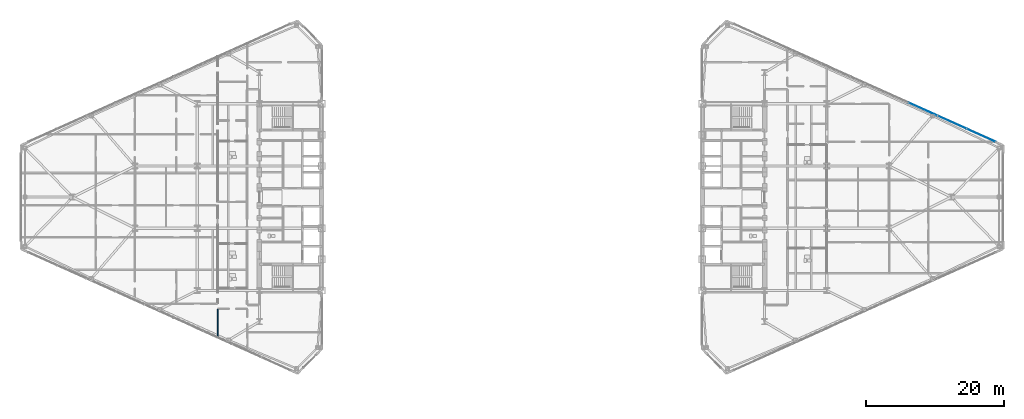
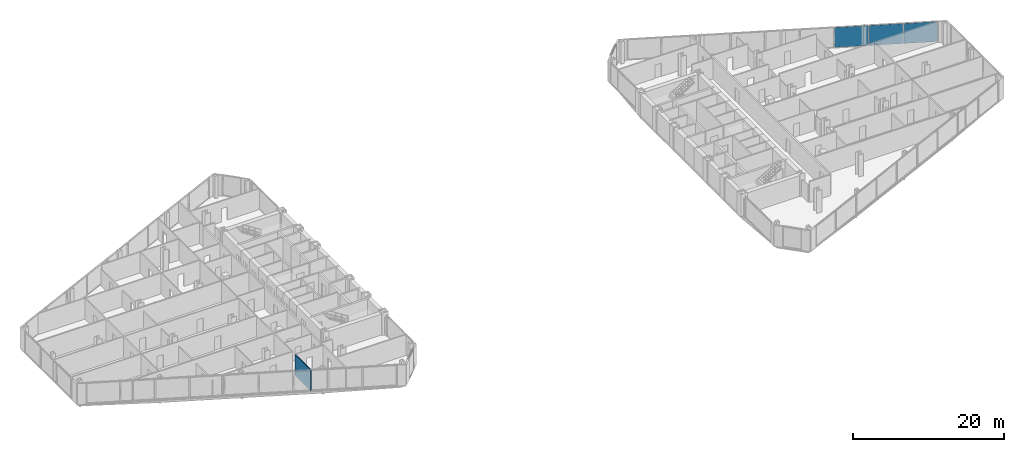
# One storey, part 18 of 27: 3 plates, 1 wall, 1 element without a shape of its own.
"""IFC4 building model written with IfcOpenShell, lengths in metres."""

from ifc_helpers import new_model, si_unit, direction, frame, frame_2d, origin, origin_2d, place, context, subcontext, project, spatial, rectangle, extrude, source, transform, mapped, material, layer, layer_set, type_object, type_shapes, element, aggregate, save


model = new_model("IFC4")

# Units and contexts
model_context = context("Model", 3, precision=1e-05, world=origin(), true_north=direction((0.0, 1.0)))
body_context = subcontext(model_context, "Body", "Model", "MODEL_VIEW")
ifc_project = project(units=[si_unit("LENGTHUNIT", "METRE"), si_unit("AREAUNIT", "SQUARE_METRE"), si_unit("VOLUMEUNIT", "CUBIC_METRE"), si_unit("PLANEANGLEUNIT", "RADIAN"), si_unit("MASSUNIT", "GRAM", prefix="KILO")], contexts=[model_context])

# Site, building, storey
site_placement = place(None, origin())
site = spatial("IfcSite", under=ifc_project, at=site_placement, CompositionType="ELEMENT")
building_placement = place(site_placement, origin())
building = spatial("IfcBuilding", under=site, at=building_placement, Name="Seokmaru Belvedere", CompositionType="ELEMENT")
storey_placement = place(building_placement, frame((0.0, 0.0, 103.199951171875)))
storey = spatial("IfcBuildingStorey", under=building, at=storey_placement, Name="L27", CompositionType="ELEMENT", Elevation=103.199951171875)

# Curtain wall, plates
ifc_material_1 = material(Name="Bronze Triple Insulating Glass", Category="glass")
ifc_layer_1 = layer(ifc_material_1, 0.195068359375)
ifc_layer_set_1 = layer_set([ifc_layer_1], Name="Bronze Triple Insulating Glass")
curtain_wall_type = type_object("IfcCurtainWallType", Name="Lower-Mid Tapered Curtain Wall System CW-3", PredefinedType="NOTDEFINED", material=ifc_layer_set_1)
curtain_wall_placement = place(storey_placement, origin())
curtain_wall = element("IfcCurtainWall", 1, at=curtain_wall_placement, inside=storey, type_object=curtain_wall_type, Name="L27 Curtain Wall EF3", PredefinedType="NOTDEFINED")
ifc_layer_2 = layer(ifc_material_1, 0.035888671875)
ifc_layer_set_2 = layer_set([ifc_layer_2], Name="Bronze Triple Insulating Glass")
plate_type = type_object("IfcPlateType", Name="Bronze Triple Vision Glazing Panel 36", PredefinedType="CURTAIN_PANEL", material=ifc_layer_set_2)
shared_shape_1 = source(origin(), body_context, "Body", "SweptSolid", [
    extrude(rectangle(XDim=4.51318359375, YDim=0.035888671875, at=origin_2d()), origin(), (0.0, 0.0, 1.0), 3.239990234375),
])
plate_1_placement = place(storey_placement, frame((67.82958984375, 8.926513671875, 0.06982421875), z_axis=(0.0, 0.0, 1.0), x_axis=(-0.91192111353, 0.41036554765, 0.0)))
plate_1 = element("IfcPlate", 2, at=plate_1_placement, type_object=plate_type, Name="CW:L27:EF3 Glazing Panel 1-1", PredefinedType="CURTAIN_PANEL", context=body_context, shape_type="MappedRepresentation", body=[
    mapped(shared_shape_1, transform((0.0, 0.0, 0.0), scale=1.0)),
])
shared_shape_2 = source(origin(), body_context, "Body", "SweptSolid", [
    extrude(rectangle(XDim=4.548095703125, YDim=0.035888671875, at=origin_2d()), origin(), (0.0, 0.0, 1.0), 3.239990234375),
])
type_shapes(plate_type, [shared_shape_1, shared_shape_2])
plate_2_placement = place(storey_placement, frame((63.63427734375, 10.814697265625, 0.06982421875), z_axis=(0.0, 0.0, 1.0), x_axis=(-0.91192111353, 0.41036554765, 0.0)))
plate_2 = element("IfcPlate", 3, at=plate_2_placement, type_object=plate_type, Name="CW:L27:EF3 Glazing Panel 2-1", PredefinedType="CURTAIN_PANEL", context=body_context, shape_type="MappedRepresentation", body=[
    mapped(shared_shape_2, transform((0.0, 0.0, 0.0), scale=1.0)),
])
plate_3_placement = place(storey_placement, frame((59.4228515625, 12.709716796875, 0.06982421875), z_axis=(0.0, 0.0, 1.0), x_axis=(-0.91192111353, 0.41036554765, 0.0)))
plate_3 = element("IfcPlate", 4, at=plate_3_placement, type_object=plate_type, Name="CW:L27:EF3 Glazing Panel 3-1", PredefinedType="CURTAIN_PANEL", context=body_context, shape_type="MappedRepresentation", body=[
    mapped(shared_shape_2, transform((0.0, 0.0, 0.0), scale=1.0)),
])
aggregate(curtain_wall, [plate_1, plate_2, plate_3])

# Wall
ifc_material_2 = material(Name="Fire-Rated Gypsum Shaftwall")
ifc_layer_3 = layer(ifc_material_2, 0.14990234375)
ifc_layer_set_3 = layer_set([ifc_layer_3], Name="Fire-Rated Gypsum Shaftwall")
wall_type = type_object("IfcWallType", Name="Apartment Fire-Acoustic Room Partition 150", PredefinedType="PARTITIONING", material=ifc_layer_set_3)
wall_placement = place(storey_placement, frame((-42.550048828125, -20.3369140625, 0.0), z_axis=(0.0, 0.0, 1.0), x_axis=(0.0, 1.0, 0.0)))
element("IfcWall", 5, at=wall_placement, inside=storey, type_object=wall_type, Name="L27 Interior Partition 037", PredefinedType="PARTITIONING", context=body_context, shape_type="SweptSolid", body=[
    extrude(rectangle(XDim=4.141845703125, YDim=0.14990234375, at=frame_2d((2.07080078125, 0.0))), origin(), (0.0, 0.0, 1.0), 3.380126953125),
])

save(model, "model.ifc")
